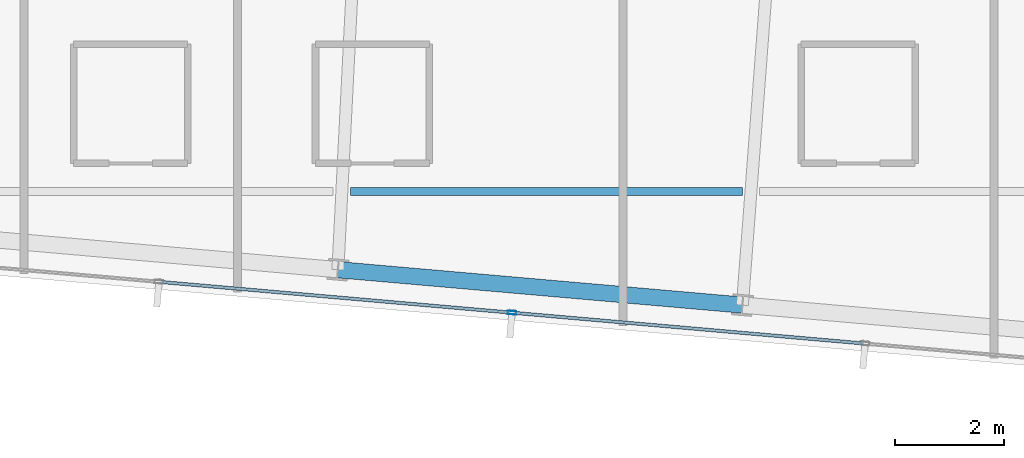
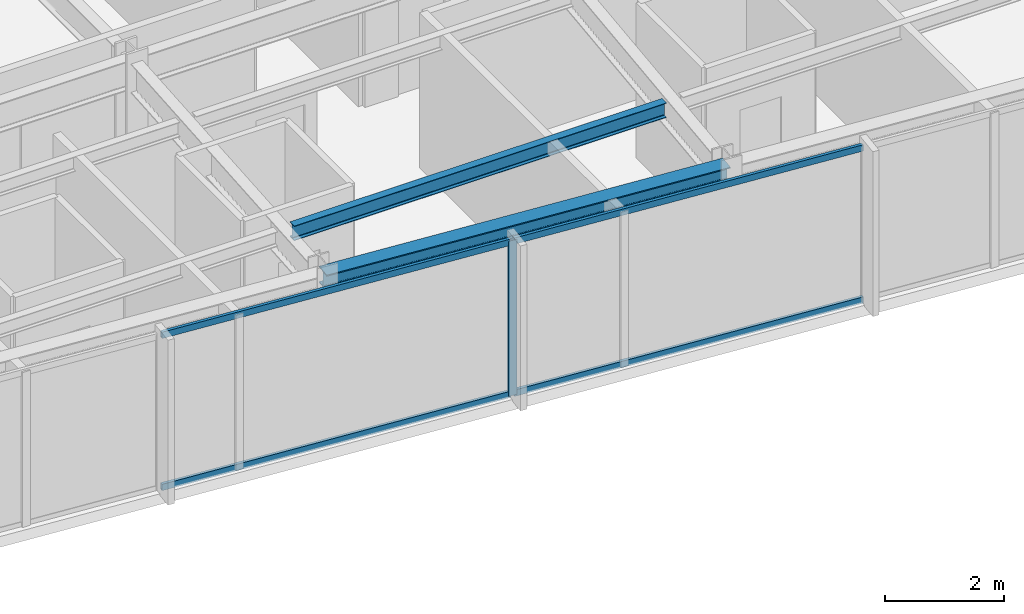
# One storey, part 7 of 33: 5 members, 2 beams, 1 element without a shape of its own.
"""IFC4 building model written with IfcOpenShell, lengths in metres."""

from ifc_helpers import new_model, si_unit, direction, frame, origin, origin_2d, place, context, subcontext, project, spatial, hollow_rectangle, i_section, extrude, material, material_profile, profile_set, type_object, element, aggregate, save


model = new_model("IFC4")

# Units and contexts
model_context = context("Model", 3, precision=1e-05, world=origin(), true_north=direction((0.0, 1.0)))
body_context = subcontext(model_context, "Body", "Model", "MODEL_VIEW")
ifc_project = project(units=[si_unit("LENGTHUNIT", "METRE"), si_unit("AREAUNIT", "SQUARE_METRE"), si_unit("VOLUMEUNIT", "CUBIC_METRE"), si_unit("PLANEANGLEUNIT", "RADIAN"), si_unit("MASSUNIT", "GRAM", prefix="KILO")], contexts=[model_context])

# Site, building, storey
site_placement = place(None, origin())
site = spatial("IfcSite", under=ifc_project, at=site_placement, CompositionType="ELEMENT")
building_placement = place(site_placement, origin())
building = spatial("IfcBuilding", under=site, at=building_placement, Name="Yelkora Congress Tower", CompositionType="ELEMENT")
storey_placement = place(building_placement, frame((0.0, 0.0, 286.300048828125)))
storey = spatial("IfcBuildingStorey", under=building, at=storey_placement, Name="L80", CompositionType="ELEMENT", Elevation=286.300048828125)

# Beams
ifc_material_1 = material(Name="Steel S355J2", Category="steel")
ifc_material_profile_1 = material_profile(ifc_material_1, i_section(OverallWidth=0.14990234375, OverallDepth=0.300048828125, WebThickness=0.007080078125, FlangeThickness=0.0107421875, FilletRadius=0.014892578125, at=origin_2d()), Name="IPE 300")
ifc_profile_set_1 = profile_set([ifc_material_profile_1], Name="Steel S355J2")
beam_type_1 = type_object("IfcBeamType", Name="BM-JOIST-IPE300", PredefinedType="JOIST", material=ifc_profile_set_1)
beam_1_placement = place(storey_placement, frame((30.595703125, 19.58447265625, 3.030029296875), z_axis=(1.0, 0.0, 0.0), x_axis=(0.0, 1.0, 0.0)))
element("IfcBeam", 1, at=beam_1_placement, inside=storey, type_object=beam_type_1, Name="L80 Composite Floor Joist 2", PredefinedType="JOIST", context=body_context, shape_type="SweptSolid", body=[
    extrude(i_section(OverallWidth=0.14990234375, OverallDepth=0.300048828125, WebThickness=0.007080078125, FlangeThickness=0.0107421875, FilletRadius=0.014892578125, at=origin_2d()), origin(), (0.0, 0.0, 1.0), 7.219970703125),
])
ifc_material_profile_2 = material_profile(ifc_material_1, i_section(OverallWidth=0.300048828125, OverallDepth=0.340087890625, WebThickness=0.011962890625, FlangeThickness=0.021484375, FilletRadius=0.027099609375, at=origin_2d()), Name="HEB 340")
ifc_profile_set_2 = profile_set([ifc_material_profile_2], Name="Steel S355J2")
beam_type_2 = type_object("IfcBeamType", Name="BM-SPAN-HEB340", PredefinedType="SPANDREL", material=ifc_profile_set_2)
beam_2_placement = place(storey_placement, frame((30.362548828125, 18.14111328125, 3.010009765625), z_axis=(0.99619601894, -0.087140644067, 0.0), x_axis=(0.087140644067, 0.99619601894, 0.0)))
element("IfcBeam", 2, at=beam_2_placement, inside=storey, type_object=beam_type_2, Name="L80 Perimeter Beam 4", PredefinedType="SPANDREL", context=body_context, shape_type="SweptSolid", body=[
    extrude(i_section(OverallWidth=0.300048828125, OverallDepth=0.340087890625, WebThickness=0.011962890625, FlangeThickness=0.021484375, FilletRadius=0.027099609375, at=origin_2d()), origin(), (0.0, 0.0, 1.0), 7.4833984375),
])

# Curtain wall, members
ifc_material_2 = material(Name="Anodised aluminium and insulated glass", Category="aluminium")
curtain_wall_type = type_object("IfcCurtainWallType", Name="CW-SYS-B5", PredefinedType="NOTDEFINED", material=ifc_material_2)
curtain_wall_placement = place(storey_placement, origin())
curtain_wall = element("IfcCurtainWall", 3, at=curtain_wall_placement, inside=storey, type_object=curtain_wall_type, Name="L80 Unitised Curtain Wall 20", PredefinedType="NOTDEFINED")
ifc_material_3 = material(Name="Anodised aluminium 6063-T6", Category="aluminium")
ifc_material_profile_3 = material_profile(ifc_material_3, hollow_rectangle(XDim=0.06494140625, YDim=0.159912109375, WallThickness=0.00390625, at=origin_2d()), Name="ALU 65x160x4")
ifc_profile_set_3 = profile_set([ifc_material_profile_3], Name="Anodised aluminium 6063-T6")
member_type_1 = type_object("IfcMemberType", Name="MEM-ML-B5", PredefinedType="MULLION", material=ifc_profile_set_3)
member_1_placement = place(storey_placement, frame((33.571533203125, 17.348388671875, 0.0), z_axis=(0.0, 0.0, 1.0), x_axis=(-0.087156829793, -0.996194602987, 0.0)))
member_1 = element("IfcMember", 4, at=member_1_placement, type_object=member_type_1, Name="CW-B5 mullion 4", PredefinedType="MULLION", context=body_context, shape_type="SweptSolid", body=[
    extrude(hollow_rectangle(XDim=0.06494140625, YDim=0.159912109375, WallThickness=0.00390625, at=origin_2d()), origin(), (0.0, 0.0, 1.0), 3.179931640625),
])
ifc_material_profile_4 = material_profile(ifc_material_3, hollow_rectangle(XDim=0.06005859375, YDim=0.1298828125, WallThickness=0.00390625, at=origin_2d()), Name="ALU 60x130x4")
ifc_profile_set_4 = profile_set([ifc_material_profile_4], Name="Anodised aluminium 6063-T6")
member_type_2 = type_object("IfcMemberType", Name="MEM-TR-B5", PredefinedType="USERDEFINED", material=ifc_profile_set_4)
member_2_placement = place(storey_placement, frame((40.045654296875, 16.781982421875, 0.030029296875), z_axis=(-0.996192979814, 0.08717538052, 0.0), x_axis=(-0.08717538052, -0.996192979814, 0.0)))
member_2 = element("IfcMember", 5, at=member_2_placement, type_object=member_type_2, Name="CW-B5 transom 3.1", ObjectType="TRANSOM", PredefinedType="USERDEFINED", context=body_context, shape_type="SweptSolid", body=[
    extrude(hollow_rectangle(XDim=0.06005859375, YDim=0.1298828125, WallThickness=0.00390625, at=origin_2d()), origin(), (0.0, 0.0, 1.0), 6.466552734375),
])
member_3_placement = place(storey_placement, frame((40.045654296875, 16.781982421875, 3.14990234375), z_axis=(-0.996192979814, 0.08717538052, 0.0), x_axis=(-0.08717538052, -0.996192979814, 0.0)))
member_3 = element("IfcMember", 6, at=member_3_placement, type_object=member_type_2, Name="CW-B5 transom 3.2", ObjectType="TRANSOM", PredefinedType="USERDEFINED", context=body_context, shape_type="SweptSolid", body=[
    extrude(hollow_rectangle(XDim=0.06005859375, YDim=0.1298828125, WallThickness=0.00390625, at=origin_2d()), origin(), (0.0, 0.0, 1.0), 6.466552734375),
])
member_4_placement = place(storey_placement, frame((33.5390625, 17.351318359375, 0.030029296875), z_axis=(-0.996196257862, 0.087137912649, 0.0), x_axis=(-0.087137912649, -0.996196257862, 0.0)))
member_4 = element("IfcMember", 7, at=member_4_placement, type_object=member_type_2, Name="CW-B5 transom 4.1", ObjectType="TRANSOM", PredefinedType="USERDEFINED", context=body_context, shape_type="SweptSolid", body=[
    extrude(hollow_rectangle(XDim=0.06005859375, YDim=0.1298828125, WallThickness=0.00390625, at=origin_2d()), origin(), (0.0, 0.0, 1.0), 6.466552734375),
])
member_5_placement = place(storey_placement, frame((33.5390625, 17.351318359375, 3.14990234375), z_axis=(-0.996196257862, 0.087137912649, 0.0), x_axis=(-0.087137912649, -0.996196257862, 0.0)))
member_5 = element("IfcMember", 8, at=member_5_placement, type_object=member_type_2, Name="CW-B5 transom 4.2", ObjectType="TRANSOM", PredefinedType="USERDEFINED", context=body_context, shape_type="SweptSolid", body=[
    extrude(hollow_rectangle(XDim=0.06005859375, YDim=0.1298828125, WallThickness=0.00390625, at=origin_2d()), origin(), (0.0, 0.0, 1.0), 6.466552734375),
])
aggregate(curtain_wall, [member_1, member_2, member_3, member_4, member_5])

save(model, "model.ifc")
